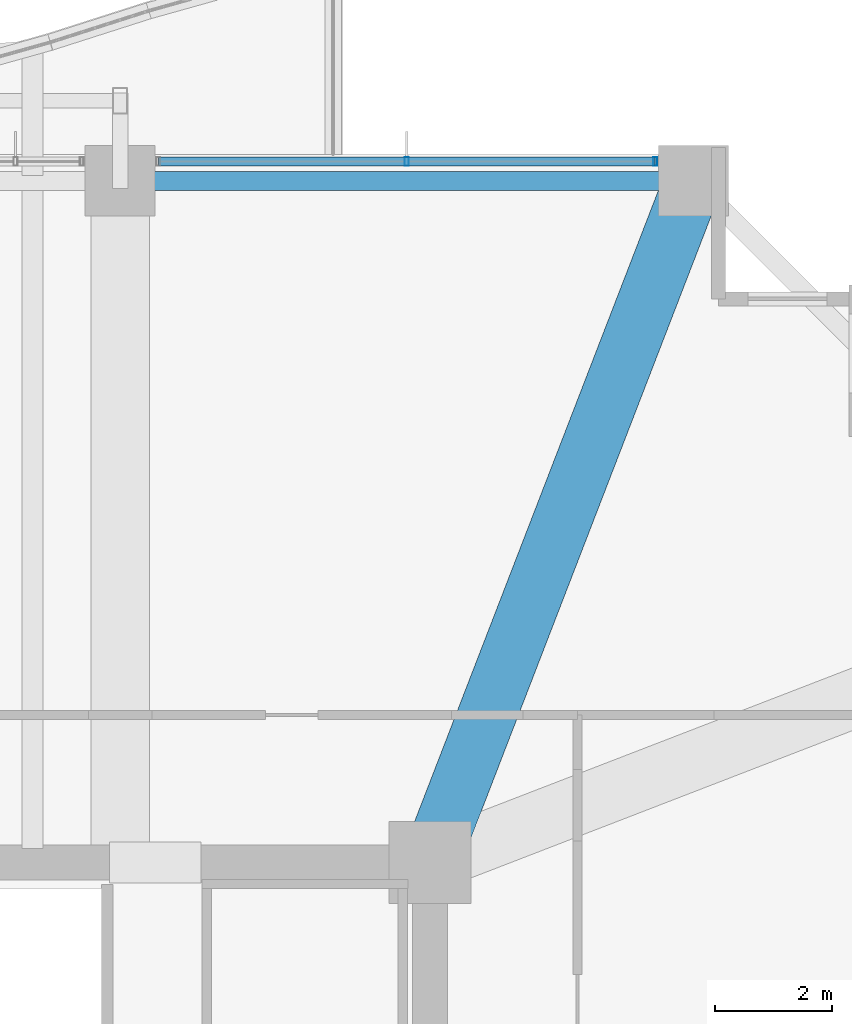
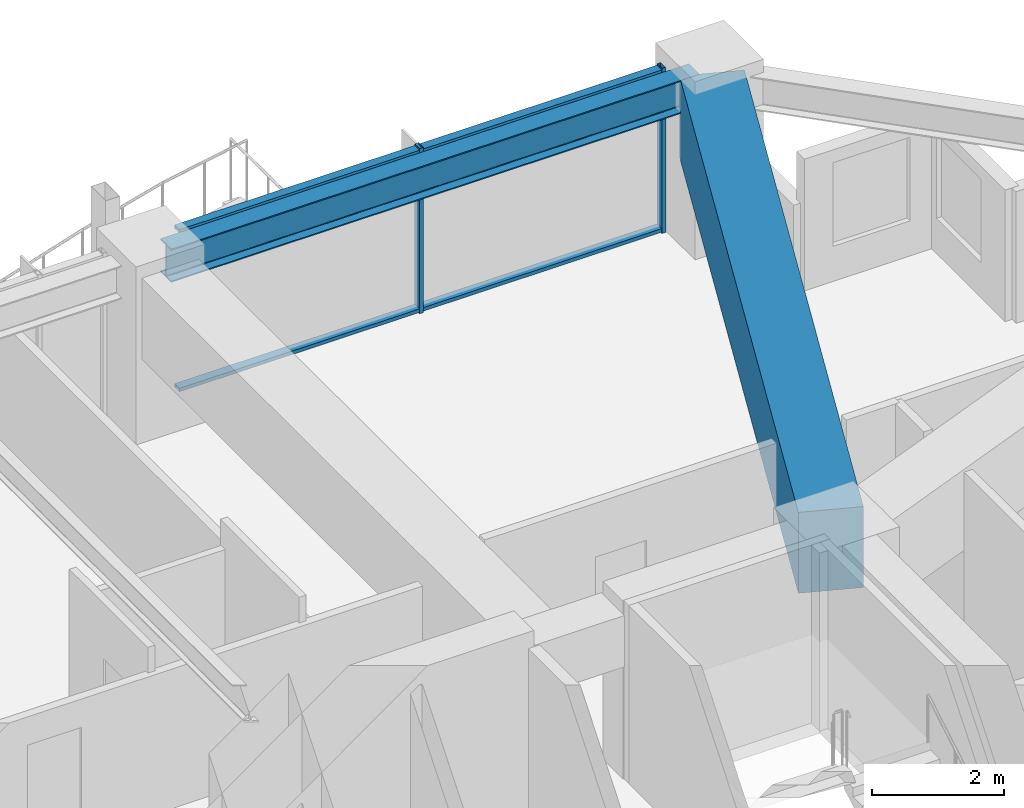
# One storey, part 24 of 37: 4 members, 2 beams, 1 element without a shape of its own.
"""IFC4 building model written with IfcOpenShell, lengths in metres."""

import ifcopenshell
import ifcopenshell.guid

model = None  # the IFC model being written
_history = None  # IfcOwnerHistory: only IFC2X3 demands one
_inside = {}  # id of a spatial element -> (the spatial element, [elements in it])
_under = {}  # id of a project, library or spatial element -> (it, [spatial elements below it])
_declared = {}  # id of a project -> (the project, [libraries it declares])
_typed = {}  # id of a type object -> (the type object, [elements of that type])
_made_of = {}  # id of a material, layer set ... -> (it, [elements and type objects made of it])


def new_model(schema):
    """Start an empty IFC model of exactly this schema.

    Asked for "IFC4X3", IfcOpenShell would pick the latest addendum, in which some entities
    have other attributes; the version numbers below select the first issue.
    IFC2X3 requires an IfcOwnerHistory on every rooted entity: one is made here for all.
    """
    global model, _history
    if schema == "IFC4X3":
        model = ifcopenshell.file(schema_version=(4, 3, 0, 0))
    else:
        model = ifcopenshell.file(schema=schema)
    _inside.clear()
    _under.clear()
    _declared.clear()
    _typed.clear()
    _made_of.clear()
    _history = None
    if model.schema == "IFC2X3":
        org = make("IfcOrganization", Name="unknown")
        user = make(
            "IfcPersonAndOrganization",
            ThePerson=make("IfcPerson", FamilyName="unknown"),
            TheOrganization=org,
        )
        app = make(
            "IfcApplication",
            ApplicationDeveloper=org,
            Version="unknown",
            ApplicationFullName="unknown",
            ApplicationIdentifier="unknown",
        )
        _history = make(
            "IfcOwnerHistory",
            OwningUser=user,
            OwningApplication=app,
            ChangeAction="ADDED",
            CreationDate=0,
        )
    return model


def make(cls, **values):
    """One entity of the class cls with the attributes given. An attribute that is None is left unset."""
    return model.create_entity(
        cls, **{name: value for name, value in values.items() if value is not None}
    )


def rooted(cls, **values):
    """An entity with a GlobalId (a new one), such as an element, a storey or a relation."""
    return make(cls, GlobalId=ifcopenshell.guid.new(), OwnerHistory=_history, **values)


def si_unit(unit_type, name, prefix=None):
    """IfcSIUnit, for example si_unit("LENGTHUNIT", "METRE", prefix="MILLI")."""
    return make("IfcSIUnit", UnitType=unit_type, Prefix=prefix, Name=name)


def assignment(units):
    """IfcUnitAssignment: the units of a project."""
    return None if units is None else make("IfcUnitAssignment", Units=units)


def point(xyz):
    """IfcCartesianPoint."""
    return None if xyz is None else make("IfcCartesianPoint", Coordinates=xyz)


def direction(xyz):
    """IfcDirection."""
    return None if xyz is None else make("IfcDirection", DirectionRatios=xyz)


def frame(location, z_axis=None, x_axis=None):
    """IfcAxis2Placement3D, a coordinate frame: its origin and axes. An axis left out is left unset."""
    return make(
        "IfcAxis2Placement3D",
        Location=point(location),
        Axis=direction(z_axis),
        RefDirection=direction(x_axis),
    )


def frame_2d(location, x_axis=None):
    """IfcAxis2Placement2D, a coordinate frame in the plane: its origin and x axis."""
    return make(
        "IfcAxis2Placement2D", Location=point(location), RefDirection=direction(x_axis)
    )


def origin():
    """The frame at (0, 0, 0) with its axes left unset."""
    return frame((0.0, 0.0, 0.0))


def origin_2d():
    """The frame at (0, 0) in the plane with its x axis left unset."""
    return frame_2d((0.0, 0.0))


def place(relative_to, where):
    """IfcLocalPlacement: puts the frame where relative to a parent placement (None: the world)."""
    return make(
        "IfcLocalPlacement", PlacementRelTo=relative_to, RelativePlacement=where
    )


def context(
    kind, dimensions, precision=None, world=None, true_north=None, identifier=None
):
    """IfcGeometricRepresentationContext, for example the 3D "Model" context."""
    return make(
        "IfcGeometricRepresentationContext",
        ContextIdentifier=identifier,
        ContextType=kind,
        CoordinateSpaceDimension=dimensions,
        Precision=precision,
        WorldCoordinateSystem=world,
        TrueNorth=true_north,
    )


def subcontext(parent, identifier, kind, view, scale=None):
    """IfcGeometricRepresentationSubContext, for example "Body" below "Model"."""
    return make(
        "IfcGeometricRepresentationSubContext",
        ContextIdentifier=identifier,
        ContextType=kind,
        ParentContext=parent,
        TargetScale=scale,
        TargetView=view,
    )


def project(units=None, contexts=None):
    """IfcProject with its units and contexts."""
    return rooted(
        "IfcProject",
        Name="project",
        RepresentationContexts=contexts,
        UnitsInContext=assignment(units),
    )


def spatial(cls, under=None, at=None, **own):
    """A site, building, storey or space (cls), placed at a placement, below another one or the project."""
    s = rooted(cls, ObjectPlacement=at, **own)
    if under is not None:
        _under.setdefault(under.id(), (under, []))[1].append(s)
    return s


def profile(cls, at=None, kind="AREA", **sizes):
    """A parametric profile (cls). Its sizes go by their IFC names, for example OverallWidth=200.0."""
    return make(cls, ProfileType=kind, Position=at, **sizes)


def rectangle(**sizes):
    """IfcRectangleProfileDef."""
    return profile("IfcRectangleProfileDef", **sizes)


def hollow_rectangle(**sizes):
    """IfcRectangleHollowProfileDef."""
    return profile("IfcRectangleHollowProfileDef", **sizes)


def i_section(**sizes):
    """IfcIShapeProfileDef."""
    return profile("IfcIShapeProfileDef", **sizes)


def extrude(swept, where, along, depth):
    """IfcExtrudedAreaSolid: the profile swept, set in the frame where, extruded along a direction by depth."""
    return make(
        "IfcExtrudedAreaSolid",
        SweptArea=swept,
        Position=where,
        ExtrudedDirection=direction(along),
        Depth=depth,
    )


def shape(context_of_items, identifier, shape_type, items):
    """IfcShapeRepresentation: the items that make up one representation, for example the "Body"."""
    return make(
        "IfcShapeRepresentation",
        ContextOfItems=context_of_items,
        RepresentationIdentifier=identifier,
        RepresentationType=shape_type,
        Items=items,
    )


def material(Name=None, Category=None):
    """IfcMaterial."""
    return make("IfcMaterial", Name=Name, Category=Category)


def material_profile(
    of_material, cross_section, Name=None, Category=None, Priority=None
):
    """IfcMaterialProfile: a cross section and its material."""
    return make(
        "IfcMaterialProfile",
        Name=Name,
        Material=of_material,
        Profile=cross_section,
        Priority=Priority,
        Category=Category,
    )


def profile_set(profiles, Name=None, composite=None):
    """IfcMaterialProfileSet."""
    return make(
        "IfcMaterialProfileSet",
        Name=Name,
        MaterialProfiles=profiles,
        CompositeProfile=composite,
    )


def made_of(thing, what):
    """Note that an element or type object is made of a material, layer set ...; save() writes the relation."""
    if what is not None:
        _made_of.setdefault(what.id(), (what, []))[1].append(thing)
    return thing


def type_object(cls, material=None, **own):
    """A type object (cls), such as IfcWallType, which elements share."""
    return made_of(rooted(cls, **own), material)


def element(
    cls,
    number,
    at=None,
    inside=None,
    cuts=None,
    type_object=None,
    material=None,
    context=None,
    identifier="Body",
    shape_type=None,
    held_by="IfcProductDefinitionShape",
    body=None,
    shapes=None,
    **own,
):
    """One element of the class cls, such as IfcWall. Its Tag is "e" and its number.

    at: its placement. inside: the storey or other place that contains it. cuts: it is an
    opening in that element (IfcRelVoidsElement). A single representation is given by context,
    identifier, shape_type and body (its items); several are given by shapes. held_by: the class
    of the entity that holds the representations. save() writes the other relations.
    """
    e = rooted(cls, Tag="e%d" % number, ObjectPlacement=at, **own)
    if body is not None:
        shapes = [shape(context, identifier, shape_type, body)]
    if shapes is not None:
        e.Representation = make(held_by, Representations=shapes)
    if inside is not None:
        _inside.setdefault(inside.id(), (inside, []))[1].append(e)
    if cuts is not None:
        rooted(
            "IfcRelVoidsElement", RelatingBuildingElement=cuts, RelatedOpeningElement=e
        )
    if type_object is not None:
        _typed.setdefault(type_object.id(), (type_object, []))[1].append(e)
    return made_of(e, material)


def aggregate(whole, parts):
    """IfcRelAggregates: a whole, such as a stair, and the parts it consists of."""
    return rooted("IfcRelAggregates", RelatingObject=whole, RelatedObjects=parts)


def save(model, path):
    """Write the relations noted so far, then the file.

    IfcRelAggregates (storeys below a building ...), IfcRelContainedInSpatialStructure (elements
    in a storey), IfcRelDefinesByType, IfcRelAssociatesMaterial and IfcRelDeclares: one each for
    every whole, place, type object, material and project.
    """
    for whole, parts in _under.values():
        aggregate(whole, parts)
    for where, things in _inside.values():
        rooted(
            "IfcRelContainedInSpatialStructure",
            RelatedElements=things,
            RelatingStructure=where,
        )
    for kind, things in _typed.values():
        rooted("IfcRelDefinesByType", RelatedObjects=things, RelatingType=kind)
    for what, things in _made_of.values():
        rooted("IfcRelAssociatesMaterial", RelatedObjects=things, RelatingMaterial=what)
    for by, libraries in _declared.values():
        rooted("IfcRelDeclares", RelatingContext=by, RelatedDefinitions=libraries)
    model.write(path)


model = new_model("IFC4")

# Units and contexts
model_context = context("Model", 3, precision=1e-05, world=origin(), true_north=direction((0.0, 1.0)))
body_context = subcontext(model_context, "Body", "Model", "MODEL_VIEW")
ifc_project = project(units=[si_unit("LENGTHUNIT", "METRE"), si_unit("AREAUNIT", "SQUARE_METRE"), si_unit("VOLUMEUNIT", "CUBIC_METRE"), si_unit("PLANEANGLEUNIT", "RADIAN"), si_unit("MASSUNIT", "GRAM", prefix="KILO")], contexts=[model_context])

# Site, building, storey
site_placement = place(None, origin())
site = spatial("IfcSite", under=ifc_project, at=site_placement, CompositionType="ELEMENT")
building_placement = place(site_placement, origin())
building = spatial("IfcBuilding", under=site, at=building_placement, Name="Kolvaren Belvedere", CompositionType="ELEMENT")
storey_placement = place(building_placement, frame((0.0, 0.0, 43.60009765625)))
storey = spatial("IfcBuildingStorey", under=building, at=storey_placement, Name="L12", CompositionType="ELEMENT", Elevation=43.60009765625)

# Beams
ifc_material_1 = material(Name="Structural steel ASTM A992 Grade 50", Category="steel")
ifc_material_profile_1 = material_profile(ifc_material_1, i_section(OverallWidth=0.324951171875, OverallDepth=0.615966796875, WebThickness=0.013916015625, FlangeThickness=0.021484375, FilletRadius=0.02001953125, at=origin_2d()), Name="W24X117")
ifc_profile_set_1 = profile_set([ifc_material_profile_1], Name="Structural steel ASTM A992 Grade 50")
beam_type_1 = type_object("IfcBeamType", Name="BM-SPAN-W24X117", PredefinedType="SPANDREL", material=ifc_profile_set_1)
beam_1_placement = place(storey_placement, frame((14.1298828125, 21.550048828125, 2.751953125), z_axis=(-1.0, 0.0, 0.0), x_axis=(0.0, -1.0, 0.0)))
element("IfcBeam", 1, at=beam_1_placement, inside=storey, type_object=beam_type_1, Name="L12 Perimeter Spandrel N4-N3", PredefinedType="SPANDREL", context=body_context, shape_type="SweptSolid", body=[
    extrude(i_section(OverallWidth=0.324951171875, OverallDepth=0.615966796875, WebThickness=0.013916015625, FlangeThickness=0.021484375, FilletRadius=0.02001953125, at=origin_2d()), origin(), (0.0, 0.0, 1.0), 9.259765625),
])
ifc_material_2 = material(Name="Concrete C50/60", Category="concrete")
ifc_material_profile_2 = material_profile(ifc_material_2, rectangle(XDim=1.0, YDim=1.5, at=origin_2d()), Name="RC 1000X1500")
ifc_profile_set_2 = profile_set([ifc_material_profile_2], Name="Concrete C50/60")
beam_type_2 = type_object("IfcBeamType", Name="BM-TG-1500", PredefinedType="BEAM", material=ifc_profile_set_2)
beam_2_placement = place(storey_placement, frame((10.09814453125, 10.4130859375, 2.309814453125), z_axis=(0.360318391835, 0.932829382313, 0.0), x_axis=(-0.932829382313, 0.360318391835, 0.0)))
element("IfcBeam", 2, at=beam_2_placement, inside=storey, type_object=beam_type_2, Name="L12 Corner Core-to-Perimeter Girder CC3-N4", PredefinedType="BEAM", context=body_context, shape_type="SweptSolid", body=[
    extrude(rectangle(XDim=1.0, YDim=1.5, at=origin_2d()), origin(), (0.0, 0.0, 1.0), 11.698974609375),
])

# Curtain wall, members
ifc_material_3 = material(Name="Anodised pale-metal aluminium AA 6063-T6", Category="aluminium")
curtain_wall_type = type_object("IfcCurtainWallType", Name="CW-Z1-LOW", PredefinedType="NOTDEFINED", material=ifc_material_3)
curtain_wall_placement = place(storey_placement, origin())
curtain_wall = element("IfcCurtainWall", 3, at=curtain_wall_placement, inside=storey, type_object=curtain_wall_type, Name="L12 Unitised Curtain Wall FCW-L12-N2-B2", PredefinedType="NOTDEFINED")
ifc_material_4 = material(Name="Anodised pale-metal aluminium AA 6063-T6", Category="aluminium")
ifc_material_profile_3 = material_profile(ifc_material_4, hollow_rectangle(XDim=0.070068359375, YDim=0.14990234375, WallThickness=0.004150390625, at=origin_2d()), Name="ALU-MUL-150X70")
ifc_profile_set_3 = profile_set([ifc_material_profile_3], Name="Anodised pale-metal aluminium AA 6063-T6")
member_type_1 = type_object("IfcMemberType", Name="CW-MUL-150", PredefinedType="MULLION", material=ifc_profile_set_3)
member_1_placement = place(storey_placement, frame((9.5, 21.8798828125, 0.0), z_axis=(0.0, 0.0, 1.0), x_axis=(1.0, 0.0, 0.0)))
member_1 = element("IfcMember", 4, at=member_1_placement, type_object=member_type_1, Name="FCW-L12-N2-B2 Unitised Mullion 2", PredefinedType="MULLION", context=body_context, shape_type="SweptSolid", body=[
    extrude(hollow_rectangle(XDim=0.070068359375, YDim=0.14990234375, WallThickness=0.004150390625, at=origin_2d()), origin(), (0.0, 0.0, 1.0), 3.059814453125),
])
member_2_placement = place(storey_placement, frame((13.7451171875, 21.8798828125, 0.0), z_axis=(0.0, 0.0, 1.0), x_axis=(1.0, 0.0, 0.0)))
member_2 = element("IfcMember", 5, at=member_2_placement, type_object=member_type_1, Name="FCW-L12-N2-B2 Unitised Mullion 3", PredefinedType="MULLION", context=body_context, shape_type="SweptSolid", body=[
    extrude(hollow_rectangle(XDim=0.070068359375, YDim=0.14990234375, WallThickness=0.004150390625, at=origin_2d()), origin(), (0.0, 0.0, 1.0), 3.059814453125),
])
ifc_material_5 = material(Name="Anodised pale-metal aluminium AA 6063-T6", Category="aluminium")
ifc_material_profile_4 = material_profile(ifc_material_5, hollow_rectangle(XDim=0.06494140625, YDim=0.14990234375, WallThickness=0.00390625, at=origin_2d()), Name="ALU-TRN-150X65")
ifc_profile_set_4 = profile_set([ifc_material_profile_4], Name="Anodised pale-metal aluminium AA 6063-T6")
member_type_2 = type_object("IfcMemberType", Name="CW-TRN-150", PredefinedType="USERDEFINED", material=ifc_profile_set_4)
member_3_placement = place(storey_placement, frame((5.2548828125, 21.8798828125, 0.059814453125), z_axis=(1.0, 0.0, 0.0), x_axis=(0.0, 0.0, 1.0)))
member_3 = element("IfcMember", 6, at=member_3_placement, type_object=member_type_2, Name="FCW-L12-N2-B2 Sill Transom", ObjectType="TRANSOM", PredefinedType="USERDEFINED", context=body_context, shape_type="SweptSolid", body=[
    extrude(hollow_rectangle(XDim=0.06494140625, YDim=0.14990234375, WallThickness=0.00390625, at=origin_2d()), origin(), (0.0, 0.0, 1.0), 8.490234375),
])
member_4_placement = place(storey_placement, frame((5.2548828125, 21.8798828125, 3.0), z_axis=(1.0, 0.0, 0.0), x_axis=(0.0, 0.0, 1.0)))
member_4 = element("IfcMember", 7, at=member_4_placement, type_object=member_type_2, Name="FCW-L12-N2-B2 Head Transom", ObjectType="TRANSOM", PredefinedType="USERDEFINED", context=body_context, shape_type="SweptSolid", body=[
    extrude(hollow_rectangle(XDim=0.06494140625, YDim=0.14990234375, WallThickness=0.00390625, at=origin_2d()), origin(), (0.0, 0.0, 1.0), 8.490234375),
])
aggregate(curtain_wall, [member_1, member_2, member_3, member_4])

save(model, "model.ifc")
